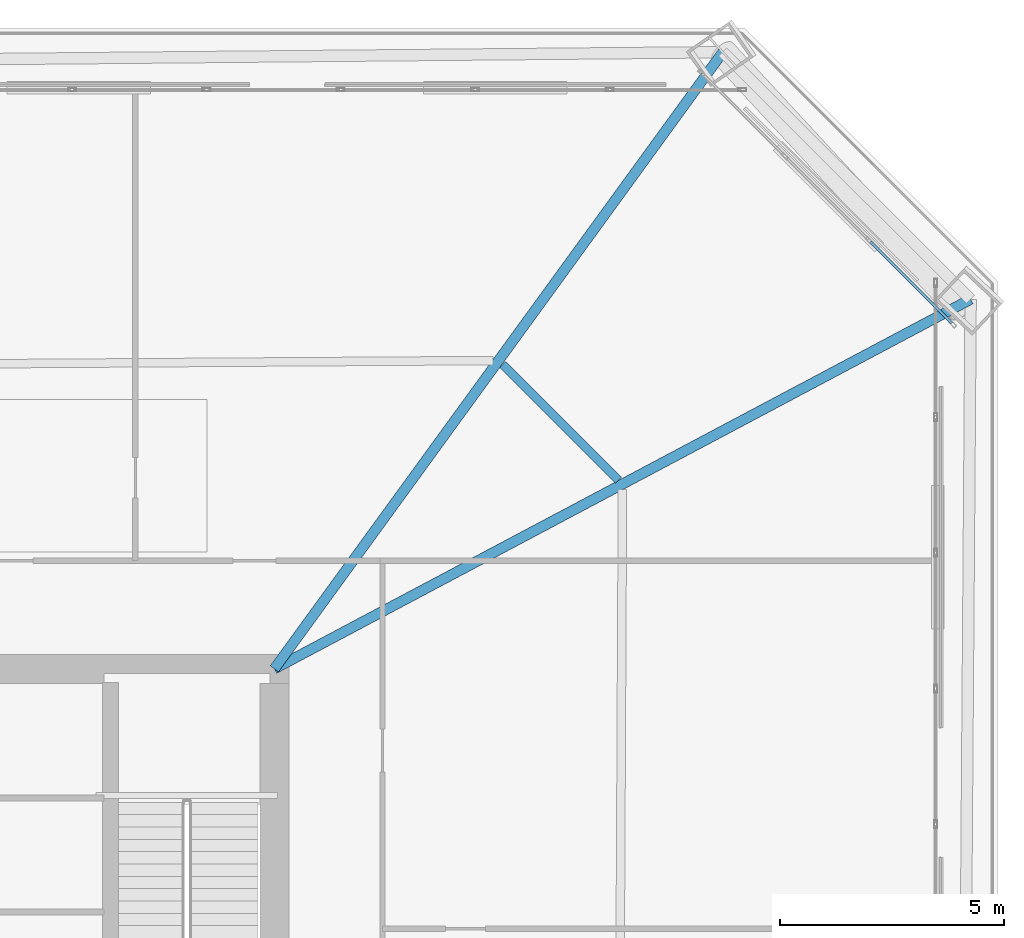
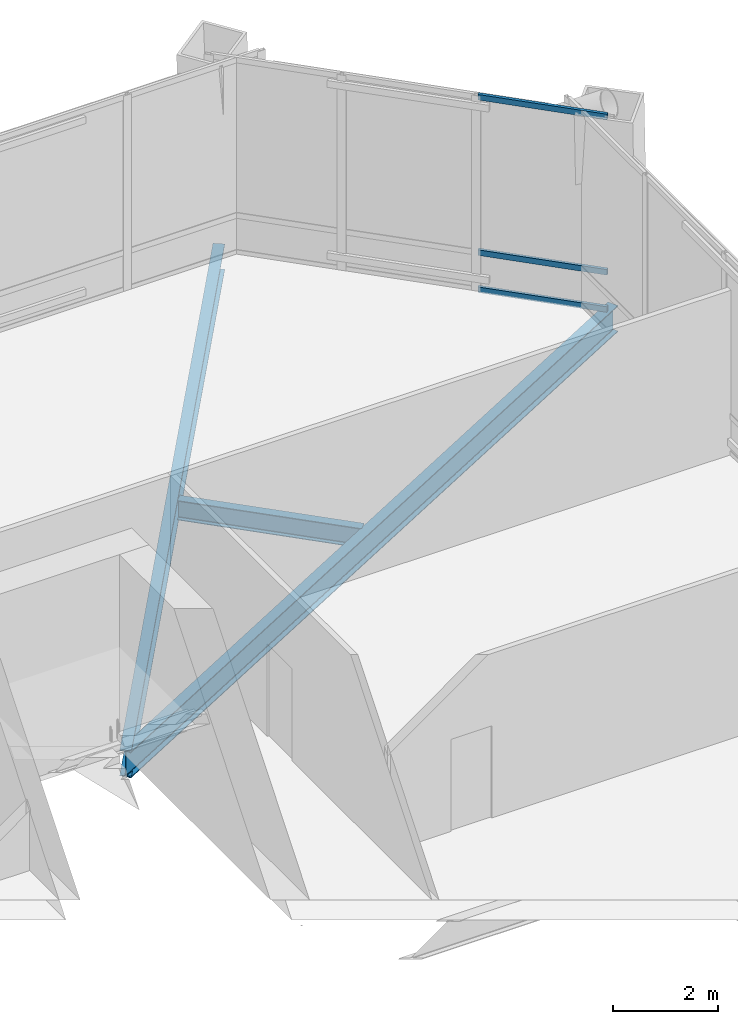
# One storey, part 36 of 48: 3 beams, 3 members, 1 element without a shape of its own.
"""IFC4 building model written with IfcOpenShell, lengths in metres."""

from ifc_helpers import new_model, si_unit, direction, frame, origin, origin_2d, place, context, subcontext, project, spatial, hollow_rectangle, i_section, extrude, material, layer, layer_set, material_profile, profile_set, type_object, element, aggregate, save


model = new_model("IFC4")

# Units and contexts
model_context = context("Model", 3, precision=1e-05, world=origin(), true_north=direction((0.0, 1.0)))
body_context = subcontext(model_context, "Body", "Model", "MODEL_VIEW")
ifc_project = project(units=[si_unit("LENGTHUNIT", "METRE"), si_unit("AREAUNIT", "SQUARE_METRE"), si_unit("VOLUMEUNIT", "CUBIC_METRE"), si_unit("PLANEANGLEUNIT", "RADIAN"), si_unit("MASSUNIT", "GRAM", prefix="KILO")], contexts=[model_context])

# Site, building, storey
site_placement = place(None, origin())
site = spatial("IfcSite", under=ifc_project, at=site_placement, CompositionType="ELEMENT")
building_placement = place(site_placement, origin())
building = spatial("IfcBuilding", under=site, at=building_placement, Name="Caelvoria Tower", CompositionType="ELEMENT")
storey_placement = place(building_placement, frame((0.0, 0.0, 90.39990234375)))
storey = spatial("IfcBuildingStorey", under=building, at=storey_placement, Name="L23", CompositionType="ELEMENT", Elevation=90.39990234375)

# Curtain wall, members
ifc_material_1 = material(Name="Anodised Bronze Aluminium and Low-E Glass", Category="aluminium")
ifc_layer = layer(ifc_material_1, 0.2099609375, Name="Anodised Bronze Aluminium and Low-E Glass")
ifc_layer_set = layer_set([ifc_layer], Name="CW System 3 Sky Lobby Double-Height Acoustic Facade - Anodised Bronze Aluminium and Low-E Glass")
curtain_wall_type = type_object("IfcCurtainWallType", Name="CW System 3 Sky Lobby Double-Height Acoustic Facade", PredefinedType="NOTDEFINED", material=ifc_layer_set)
curtain_wall_placement = place(storey_placement, origin())
curtain_wall = element("IfcCurtainWall", 1, at=curtain_wall_placement, inside=storey, type_object=curtain_wall_type, Name="CW-03 Curtain Wall L23-E3", PredefinedType="NOTDEFINED")
ifc_material_2 = material(Name="Anodised Bronze Architectural Aluminium", Category="aluminium")
ifc_material_profile_1 = material_profile(ifc_material_2, hollow_rectangle(XDim=0.06494140625, YDim=0.1298828125, WallThickness=0.00341796875, at=origin_2d()), Name="Anodised Bronze Architectural Aluminium")
ifc_profile_set_1 = profile_set([ifc_material_profile_1], Name="CW_TRAN_65X130 - Anodised Bronze Architectural Aluminium")
member_type = type_object("IfcMemberType", Name="Curtain Wall Transom 65x130 Bronze Aluminium", PredefinedType="USERDEFINED", material=ifc_profile_set_1)
member_1_placement = place(storey_placement, frame((70.09130859375, 47.70703125, 0.03271484375), z_axis=(-0.707106781187, 0.707106781187, 0.0), x_axis=(-0.707106781187, -0.707106781187, 0.0)))
member_1 = element("IfcMember", 2, at=member_1_placement, type_object=member_type, Name="CW-03 transom 1.1", ObjectType="TRANSOM", PredefinedType="USERDEFINED", context=body_context, shape_type="SweptSolid", body=[
    extrude(hollow_rectangle(XDim=0.06494140625, YDim=0.1298828125, WallThickness=0.00341796875, at=origin_2d()), origin(), (0.0, 0.0, 1.0), 2.558349609375),
])
member_2_placement = place(storey_placement, frame((70.09130859375, 47.70703125, 0.900146484375), z_axis=(-0.707106781187, 0.707106781187, 0.0), x_axis=(-0.707106781187, -0.707106781187, 0.0)))
member_2 = element("IfcMember", 3, at=member_2_placement, type_object=member_type, Name="CW-03 transom 1.2", ObjectType="TRANSOM", PredefinedType="USERDEFINED", context=body_context, shape_type="SweptSolid", body=[
    extrude(hollow_rectangle(XDim=0.06494140625, YDim=0.1298828125, WallThickness=0.00341796875, at=origin_2d()), origin(), (0.0, 0.0, 1.0), 2.558349609375),
])
member_3_placement = place(storey_placement, frame((70.09130859375, 47.70703125, 4.527587890625), z_axis=(-0.707106781187, 0.707106781187, 0.0), x_axis=(-0.707106781187, -0.707106781187, 0.0)))
member_3 = element("IfcMember", 4, at=member_3_placement, type_object=member_type, Name="CW-03 transom 1.3", ObjectType="TRANSOM", PredefinedType="USERDEFINED", context=body_context, shape_type="SweptSolid", body=[
    extrude(hollow_rectangle(XDim=0.06494140625, YDim=0.1298828125, WallThickness=0.00341796875, at=origin_2d()), origin(), (0.0, 0.0, 1.0), 2.558349609375),
])
aggregate(curtain_wall, [member_1, member_2, member_3])

# Beams
ifc_material_3 = material(Name="Structural Steel ASTM A992 Gr.50", Category="steel")
ifc_material_profile_2 = material_profile(ifc_material_3, i_section(OverallWidth=0.22900390625, OverallDepth=0.612060546875, WebThickness=0.011962890625, FlangeThickness=0.01953125, FilletRadius=0.01806640625, at=origin_2d()), Name="Structural Steel ASTM A992 Gr.50")
ifc_profile_set_2 = profile_set([ifc_material_profile_2], Name="W610X125 - Structural Steel ASTM A992 Gr.50")
beam_type_1 = type_object("IfcBeamType", Name="Primary Radial Floor Girder W610X125", PredefinedType="BEAM", material=ifc_profile_set_2)
beam_1_placement = place(storey_placement, frame((55.0, 40.0, -0.6259765625), z_axis=(0.883286067576, 0.468834430078, 0.0), x_axis=(-0.468834430078, 0.883286067576, 0.0)))
element("IfcBeam", 5, at=beam_1_placement, inside=storey, type_object=beam_type_1, Name="Primary Floor Girder L23-05", PredefinedType="BEAM", context=body_context, shape_type="SweptSolid", body=[
    extrude(i_section(OverallWidth=0.22900390625, OverallDepth=0.612060546875, WebThickness=0.011962890625, FlangeThickness=0.01953125, FilletRadius=0.01806640625, at=origin_2d()), origin(), (0.0, 0.0, 1.0), 17.566650390625),
])
beam_2_placement = place(storey_placement, frame((55.0, 40.0, -0.6259765625), z_axis=(0.588145211452, 0.808755346348, 0.0), x_axis=(-0.808755346348, 0.588145211452, 0.0)))
element("IfcBeam", 6, at=beam_2_placement, inside=storey, type_object=beam_type_1, Name="Primary Floor Girder L23-06", PredefinedType="BEAM", context=body_context, shape_type="SweptSolid", body=[
    extrude(i_section(OverallWidth=0.22900390625, OverallDepth=0.612060546875, WebThickness=0.011962890625, FlangeThickness=0.01953125, FilletRadius=0.01806640625, at=origin_2d()), origin(), (0.0, 0.0, 1.0), 16.990478515625),
])
ifc_material_profile_3 = material_profile(ifc_material_3, i_section(OverallWidth=0.18994140625, OverallDepth=0.45703125, WebThickness=0.009033203125, FlangeThickness=0.014404296875, FilletRadius=0.014892578125, at=origin_2d()), Name="Structural Steel ASTM A992 Gr.50")
ifc_profile_set_3 = profile_set([ifc_material_profile_3], Name="W460X74 - Structural Steel ASTM A992 Gr.50")
beam_type_2 = type_object("IfcBeamType", Name="Secondary Floor Beam W460X74", PredefinedType="BEAM", material=ifc_profile_set_3)
beam_3_placement = place(storey_placement, frame((62.669677734375, 44.2060546875, -0.54833984375), z_axis=(-0.708243123009, 0.705968610287, 0.0), x_axis=(-0.705968610287, -0.708243123009, 0.0)))
element("IfcBeam", 7, at=beam_3_placement, inside=storey, type_object=beam_type_2, Name="Secondary Floor Beam L23-05", PredefinedType="BEAM", context=body_context, shape_type="SweptSolid", body=[
    extrude(i_section(OverallWidth=0.18994140625, OverallDepth=0.45703125, WebThickness=0.009033203125, FlangeThickness=0.014404296875, FilletRadius=0.014892578125, at=origin_2d()), origin(), (0.0, 0.0, 1.0), 3.6494140625),
])

save(model, "model.ifc")
